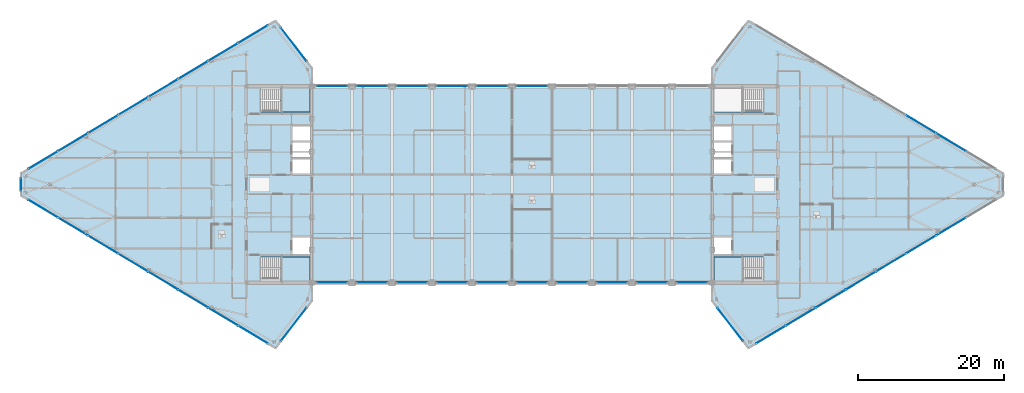
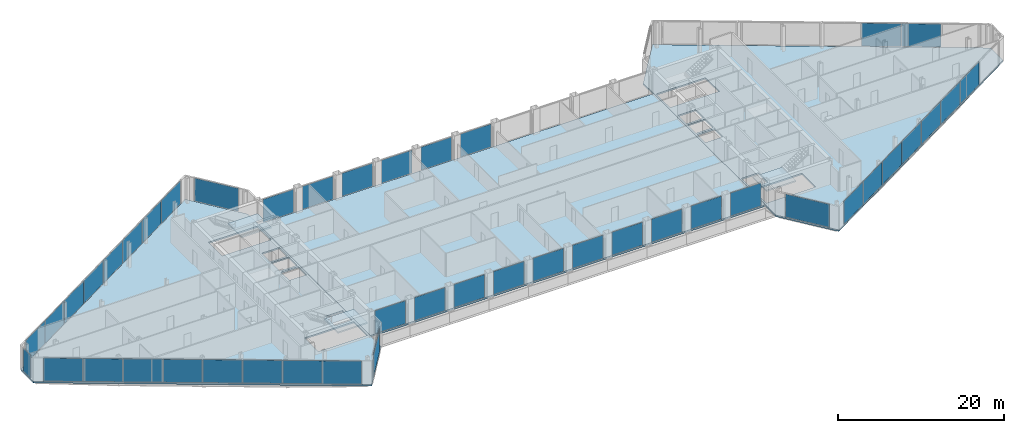
# One storey, part 19 of 29: 45 plates, 6 slabs, 27 elements without a shape of their own.
"""IFC4 building model written with IfcOpenShell, lengths in metres."""

from ifc_helpers import new_model, si_unit, direction, frame, origin, origin_2d, place, context, subcontext, project, spatial, polyline, rectangle, outline, extrude, source, transform, mapped, material, layer, layer_set, type_object, type_shapes, element, aggregate, save


model = new_model("IFC4")

# Units and contexts
model_context = context("Model", 3, precision=1e-05, world=origin(), true_north=direction((0.0, 1.0)))
body_context = subcontext(model_context, "Body", "Model", "MODEL_VIEW")
ifc_project = project(units=[si_unit("LENGTHUNIT", "METRE"), si_unit("AREAUNIT", "SQUARE_METRE"), si_unit("VOLUMEUNIT", "CUBIC_METRE"), si_unit("PLANEANGLEUNIT", "RADIAN"), si_unit("MASSUNIT", "GRAM", prefix="KILO")], contexts=[model_context])

# Site, building, storey
site_placement = place(None, origin())
site = spatial("IfcSite", under=ifc_project, at=site_placement, CompositionType="ELEMENT")
building_placement = place(site_placement, origin())
building = spatial("IfcBuilding", under=site, at=building_placement, Name="Seokmaru Belvedere", CompositionType="ELEMENT")
storey_placement = place(building_placement, frame((0.0, 0.0, 239.39990234375)))
storey = spatial("IfcBuildingStorey", under=building, at=storey_placement, Name="L63", CompositionType="ELEMENT", Elevation=239.39990234375)

# Stair, slab
ifc_material_1 = material(Name="Concrete C40 (40 MPa)", Category="concrete")
stair_type = type_object("IfcStairType", Name="Sky-Gate Residential Core Dog-Leg Stair 3750", PredefinedType="TWO_STRAIGHT_RUN_STAIR", material=ifc_material_1)
stair_1_placement = place(storey_placement, origin())
stair_1 = element("IfcStair", 1, at=stair_1_placement, inside=storey, type_object=stair_type, Name="L63 Special Escape Stair ST-W1", PredefinedType="TWO_STRAIGHT_RUN_STAIR")
ifc_layer_1 = layer(ifc_material_1, 0.199951171875)
ifc_layer_set_1 = layer_set([ifc_layer_1], Name="Concrete C40 (40 MPa)")
slab_type_1 = type_object("IfcSlabType", Name="Reinforced Concrete Stair Landing Slab 200", PredefinedType="LANDING", material=ifc_layer_set_1)
slab_1_placement = place(storey_placement, frame((0.0, 0.0, 1.675048828125)))
slab_1 = element("IfcSlab", 2, at=slab_1_placement, type_object=slab_type_1, Name="ST-W1 landing 1", PredefinedType="LANDING", context=body_context, shape_type="SweptSolid", body=[
    extrude(outline(polyline([(-31.8798828125, -13.239990234375), (-27.760009765625, -13.239990234375), (-27.760009765625, -9.949951171875), (-31.8798828125, -9.949951171875), (-31.8798828125, -13.239990234375)])), origin(), (0.0, 0.0, 1.0), 0.199951171875),
])
aggregate(stair_1, [slab_1])

stair_2_placement = place(storey_placement, origin())
stair_2 = element("IfcStair", 3, at=stair_2_placement, inside=storey, type_object=stair_type, Name="L63 Special Escape Stair ST-W2", PredefinedType="TWO_STRAIGHT_RUN_STAIR")
slab_2_placement = place(storey_placement, frame((0.0, 0.0, 1.675048828125)))
slab_2 = element("IfcSlab", 4, at=slab_2_placement, type_object=slab_type_1, Name="ST-W2 landing 1", PredefinedType="LANDING", context=body_context, shape_type="SweptSolid", body=[
    extrude(outline(polyline([(-31.8798828125, 9.949951171875), (-27.760009765625, 9.949951171875), (-27.760009765625, 13.239990234375), (-31.8798828125, 13.239990234375), (-31.8798828125, 9.949951171875)])), origin(), (0.0, 0.0, 1.0), 0.199951171875),
])
aggregate(stair_2, [slab_2])

stair_3_placement = place(storey_placement, origin())
stair_3 = element("IfcStair", 5, at=stair_3_placement, inside=storey, type_object=stair_type, Name="L63 Special Escape Stair ST-E1", PredefinedType="TWO_STRAIGHT_RUN_STAIR")
slab_3_placement = place(storey_placement, frame((0.0, 0.0, 1.675048828125)))
slab_3 = element("IfcSlab", 6, at=slab_3_placement, type_object=slab_type_1, Name="ST-E1 landing 1", PredefinedType="LANDING", context=body_context, shape_type="SweptSolid", body=[
    extrude(outline(polyline([(27.760009765625, -13.239990234375), (31.8798828125, -13.239990234375), (31.8798828125, -9.949951171875), (27.760009765625, -9.949951171875), (27.760009765625, -13.239990234375)])), origin(), (0.0, 0.0, 1.0), 0.199951171875),
])
aggregate(stair_3, [slab_3])

# Slabs
ifc_layer_2 = layer(ifc_material_1, 0.219970703125)
ifc_layer_set_2 = layer_set([ifc_layer_2], Name="Concrete C40 (40 MPa)")
slab_type_2 = type_object("IfcSlabType", Name="Typical Tower Composite Floor Slab 220", PredefinedType="FLOOR", material=ifc_layer_set_2)
slab_4_placement = place(storey_placement, frame((0.0, 0.0, -0.219970703125)))
element("IfcSlab", 7, at=slab_4_placement, inside=storey, type_object=slab_type_2, Name="L63 West Leg Floor Slab", PredefinedType="FLOOR", context=body_context, shape_type="SweptSolid", body=[
    extrude(outline(polyline([(-27.5, -16.0), (-27.5, 16.0), (-32.5, 22.5), (-67.5, 1.5), (-67.5, -1.5), (-32.5, -22.5), (-27.5, -16.0)]), holes=[polyline([(-34.60009765625, -13.25), (-27.75, -13.25), (-27.75, -9.949951171875), (-34.60009765625, -9.949951171875), (-34.60009765625, -13.25)]), polyline([(-34.60009765625, 9.949951171875), (-27.75, 9.949951171875), (-27.75, 13.25), (-34.60009765625, 13.25), (-34.60009765625, 9.949951171875)]), polyline([(-30.14990234375, -9.550048828125), (-27.75, -9.550048828125), (-27.75, -7.25), (-30.14990234375, -7.25), (-30.14990234375, -9.550048828125)]), polyline([(-30.14990234375, 1.449951171875), (-27.75, 1.449951171875), (-27.75, 3.449951171875), (-30.14990234375, 3.449951171875), (-30.14990234375, 1.449951171875)]), polyline([(-30.14990234375, 3.75), (-27.75, 3.75), (-27.75, 5.75), (-30.14990234375, 5.75), (-30.14990234375, 3.75)]), polyline([(-30.14990234375, 6.050048828125), (-27.75, 6.050048828125), (-27.75, 8.050048828125), (-30.14990234375, 8.050048828125), (-30.14990234375, 6.050048828125)])]), origin(), (0.0, 0.0, 1.0), 0.219970703125),
])
slab_5_placement = place(storey_placement, frame((0.0, 0.0, -0.219970703125)))
element("IfcSlab", 8, at=slab_5_placement, inside=storey, type_object=slab_type_2, Name="L63 East Leg Floor Slab", PredefinedType="FLOOR", context=body_context, shape_type="SweptSolid", body=[
    extrude(outline(polyline([(32.5, -22.5), (67.5, -1.5), (67.5, 1.5), (32.5, 22.5), (27.5, 16.0), (27.5, -16.0), (32.5, -22.5)]), holes=[polyline([(27.75, -13.25), (34.60009765625, -13.25), (34.60009765625, -9.949951171875), (27.75, -9.949951171875), (27.75, -13.25)]), polyline([(27.75, 9.949951171875), (34.60009765625, 9.949951171875), (34.60009765625, 13.25), (27.75, 13.25), (27.75, 9.949951171875)]), polyline([(27.75, -9.550048828125), (30.14990234375, -9.550048828125), (30.14990234375, -7.25), (27.75, -7.25), (27.75, -9.550048828125)]), polyline([(27.75, 1.449951171875), (30.14990234375, 1.449951171875), (30.14990234375, 3.449951171875), (27.75, 3.449951171875), (27.75, 1.449951171875)]), polyline([(27.75, 3.75), (30.14990234375, 3.75), (30.14990234375, 5.75), (27.75, 5.75), (27.75, 3.75)]), polyline([(27.75, 6.050048828125), (30.14990234375, 6.050048828125), (30.14990234375, 8.050048828125), (27.75, 8.050048828125), (27.75, 6.050048828125)])]), origin(), (0.0, 0.0, 1.0), 0.219970703125),
])
slab_6_placement = place(storey_placement, frame((0.0, 0.0, -0.219970703125)))
element("IfcSlab", 9, at=slab_6_placement, inside=storey, type_object=slab_type_2, Name="L63 Sky-Gate Bridge Floor Slab", PredefinedType="FLOOR", context=body_context, shape_type="SweptSolid", body=[
    extrude(outline(polyline([(-27.5, -13.5), (27.5, -13.5), (27.5, 13.5), (-27.5, 13.5), (-27.5, -13.5)])), origin(), (0.0, 0.0, 1.0), 0.219970703125),
])

# Curtain wall, plate
ifc_material_2 = material(Name="Bronze Triple Insulating Glass", Category="glass")
ifc_layer_3 = layer(ifc_material_2, 0.219970703125)
ifc_layer_set_3 = layer_set([ifc_layer_3], Name="Bronze Triple Insulating Glass")
curtain_wall_type = type_object("IfcCurtainWallType", Name="Sky-Gate Bridge Panorama Curtain Wall System CW-6", PredefinedType="NOTDEFINED", material=ifc_layer_set_3)
curtain_wall_1_placement = place(storey_placement, origin())
curtain_wall_1 = element("IfcCurtainWall", 10, at=curtain_wall_1_placement, inside=storey, type_object=curtain_wall_type, Name="L63 Curtain Wall WF2", PredefinedType="NOTDEFINED")
ifc_layer_4 = layer(ifc_material_2, 0.0419921875)
ifc_layer_set_4 = layer_set([ifc_layer_4], Name="Bronze Triple Insulating Glass")
plate_type = type_object("IfcPlateType", Name="Acoustic Laminated Panorama Glazing Panel 42", PredefinedType="CURTAIN_PANEL", material=ifc_layer_set_4)
shared_shape_1 = source(origin(), body_context, "Body", "SweptSolid", [
    extrude(rectangle(XDim=5.740478515625, YDim=0.0419921875, at=origin_2d()), origin(), (0.0, 0.0, 1.0), 3.3798828125),
])
plate_1_placement = place(storey_placement, frame((-30.0, 19.25, 0.0751953125), z_axis=(0.0, 0.0, 1.0), x_axis=(-0.609701187349, 0.792631353244, 0.0)))
plate_1 = element("IfcPlate", 11, at=plate_1_placement, type_object=plate_type, Name="CW:L63:WF2 Glazing Panel 1-1", PredefinedType="CURTAIN_PANEL", context=body_context, shape_type="MappedRepresentation", body=[
    mapped(shared_shape_1, transform((0.0, 0.0, 0.0), scale=1.0)),
])
aggregate(curtain_wall_1, [plate_1])

curtain_wall_2_placement = place(storey_placement, origin())
curtain_wall_2 = element("IfcCurtainWall", 12, at=curtain_wall_2_placement, inside=storey, type_object=curtain_wall_type, Name="L63 Curtain Wall WF6", PredefinedType="NOTDEFINED")
plate_2_placement = place(storey_placement, frame((-30.0, -19.25, 0.0751953125), z_axis=(0.0, 0.0, 1.0), x_axis=(0.609701187349, 0.792631353244, 0.0)))
plate_2 = element("IfcPlate", 13, at=plate_2_placement, type_object=plate_type, Name="CW:L63:WF6 Glazing Panel 1-1", PredefinedType="CURTAIN_PANEL", context=body_context, shape_type="MappedRepresentation", body=[
    mapped(shared_shape_1, transform((0.0, 0.0, 0.0), scale=1.0)),
])
aggregate(curtain_wall_2, [plate_2])

curtain_wall_3_placement = place(storey_placement, origin())
curtain_wall_3 = element("IfcCurtainWall", 14, at=curtain_wall_3_placement, inside=storey, type_object=curtain_wall_type, Name="L63 Curtain Wall EF6", PredefinedType="NOTDEFINED")
plate_3_placement = place(storey_placement, frame((30.0, -19.25, 0.0751953125), z_axis=(0.0, 0.0, 1.0), x_axis=(0.609701187349, -0.792631353244, 0.0)))
plate_3 = element("IfcPlate", 15, at=plate_3_placement, type_object=plate_type, Name="CW:L63:EF6 Glazing Panel 1-1", PredefinedType="CURTAIN_PANEL", context=body_context, shape_type="MappedRepresentation", body=[
    mapped(shared_shape_1, transform((0.0, 0.0, 0.0), scale=1.0)),
])
aggregate(curtain_wall_3, [plate_3])

# Curtain wall, plates
curtain_wall_4_placement = place(storey_placement, origin())
curtain_wall_4 = element("IfcCurtainWall", 16, at=curtain_wall_4_placement, inside=storey, type_object=curtain_wall_type, Name="L63 Curtain Wall WF3", PredefinedType="NOTDEFINED")
shared_shape_2 = source(origin(), body_context, "Body", "SweptSolid", [
    extrude(rectangle(XDim=4.694580078125, YDim=0.0419921875, at=origin_2d()), origin(), (0.0, 0.0, 1.0), 3.3798828125),
])
plate_4_placement = place(storey_placement, frame((-35.5673828125, 20.659423828125, 0.0751953125), z_axis=(0.0, 0.0, 1.0), x_axis=(-0.85749343335, -0.514494909364, 0.0)))
plate_4 = element("IfcPlate", 17, at=plate_4_placement, type_object=plate_type, Name="CW:L63:WF3 Glazing Panel 1-1", PredefinedType="CURTAIN_PANEL", context=body_context, shape_type="MappedRepresentation", body=[
    mapped(shared_shape_2, transform((0.0, 0.0, 0.0), scale=1.0)),
])
plate_5_placement = place(storey_placement, frame((-64.4326171875, 3.340576171875, 0.0751953125), z_axis=(0.0, 0.0, 1.0), x_axis=(-0.85749343335, -0.514494909364, 0.0)))
plate_5 = element("IfcPlate", 18, at=plate_5_placement, type_object=plate_type, Name="CW:L63:WF3 Glazing Panel 8-1", PredefinedType="CURTAIN_PANEL", context=body_context, shape_type="MappedRepresentation", body=[
    mapped(shared_shape_2, transform((0.0, 0.0, 0.0), scale=1.0)),
])

curtain_wall_5_placement = place(storey_placement, origin())
curtain_wall_5 = element("IfcCurtainWall", 19, at=curtain_wall_5_placement, inside=storey, type_object=curtain_wall_type, Name="L63 Curtain Wall WF5", PredefinedType="NOTDEFINED")
plate_6_placement = place(storey_placement, frame((-64.4326171875, -3.340576171875, 0.0751953125), z_axis=(0.0, 0.0, 1.0), x_axis=(0.85749343335, -0.514494909364, 0.0)))
plate_6 = element("IfcPlate", 20, at=plate_6_placement, type_object=plate_type, Name="CW:L63:WF5 Glazing Panel 1-1", PredefinedType="CURTAIN_PANEL", context=body_context, shape_type="MappedRepresentation", body=[
    mapped(shared_shape_2, transform((0.0, 0.0, 0.0), scale=1.0)),
])
plate_7_placement = place(storey_placement, frame((-35.5673828125, -20.659423828125, 0.0751953125), z_axis=(0.0, 0.0, 1.0), x_axis=(0.85749343335, -0.514494909364, 0.0)))
plate_7 = element("IfcPlate", 21, at=plate_7_placement, type_object=plate_type, Name="CW:L63:WF5 Glazing Panel 8-1", PredefinedType="CURTAIN_PANEL", context=body_context, shape_type="MappedRepresentation", body=[
    mapped(shared_shape_2, transform((0.0, 0.0, 0.0), scale=1.0)),
])

# Curtain wall, plate
curtain_wall_6_placement = place(storey_placement, origin())
curtain_wall_6 = element("IfcCurtainWall", 22, at=curtain_wall_6_placement, inside=storey, type_object=curtain_wall_type, Name="L63 Curtain Wall EF1", PredefinedType="NOTDEFINED")
plate_8_placement = place(storey_placement, frame((35.5673828125, -20.659423828125, 0.0751953125), z_axis=(0.0, 0.0, 1.0), x_axis=(0.85749343335, 0.514494909364, 0.0)))
plate_8 = element("IfcPlate", 23, at=plate_8_placement, type_object=plate_type, Name="CW:L63:EF1 Glazing Panel 1-1", PredefinedType="CURTAIN_PANEL", context=body_context, shape_type="MappedRepresentation", body=[
    mapped(shared_shape_2, transform((0.0, 0.0, 0.0), scale=1.0)),
])

# Plate
shared_shape_3 = source(origin(), body_context, "Body", "SweptSolid", [
    extrude(rectangle(XDim=4.734619140625, YDim=0.0419921875, at=origin_2d()), origin(), (0.0, 0.0, 1.0), 3.3798828125),
])
plate_9_placement = place(storey_placement, frame((-39.6787109375, 18.192626953125, 0.0751953125), z_axis=(0.0, 0.0, 1.0), x_axis=(-0.85749343335, -0.514494909364, 0.0)))
plate_9 = element("IfcPlate", 24, at=plate_9_placement, type_object=plate_type, Name="CW:L63:WF3 Glazing Panel 2-1", PredefinedType="CURTAIN_PANEL", context=body_context, shape_type="MappedRepresentation", body=[
    mapped(shared_shape_3, transform((0.0, 0.0, 0.0), scale=1.0)),
])

plate_10_placement = place(storey_placement, frame((-43.807373046875, 15.715576171875, 0.0751953125), z_axis=(0.0, 0.0, 1.0), x_axis=(-0.85749343335, -0.514494909364, 0.0)))
plate_10 = element("IfcPlate", 25, at=plate_10_placement, type_object=plate_type, Name="CW:L63:WF3 Glazing Panel 3-1", PredefinedType="CURTAIN_PANEL", context=body_context, shape_type="MappedRepresentation", body=[
    mapped(shared_shape_3, transform((0.0, 0.0, 0.0), scale=1.0)),
])

plate_11_placement = place(storey_placement, frame((-47.935791015625, 13.238525390625, 0.0751953125), z_axis=(0.0, 0.0, 1.0), x_axis=(-0.85749343335, -0.514494909364, 0.0)))
plate_11 = element("IfcPlate", 26, at=plate_11_placement, type_object=plate_type, Name="CW:L63:WF3 Glazing Panel 4-1", PredefinedType="CURTAIN_PANEL", context=body_context, shape_type="MappedRepresentation", body=[
    mapped(shared_shape_3, transform((0.0, 0.0, 0.0), scale=1.0)),
])

plate_12_placement = place(storey_placement, frame((-52.064208984375, 10.761474609375, 0.0751953125), z_axis=(0.0, 0.0, 1.0), x_axis=(-0.85749343335, -0.514494909364, 0.0)))
plate_12 = element("IfcPlate", 27, at=plate_12_placement, type_object=plate_type, Name="CW:L63:WF3 Glazing Panel 5-1", PredefinedType="CURTAIN_PANEL", context=body_context, shape_type="MappedRepresentation", body=[
    mapped(shared_shape_3, transform((0.0, 0.0, 0.0), scale=1.0)),
])

plate_13_placement = place(storey_placement, frame((-56.192626953125, 8.284423828125, 0.0751953125), z_axis=(0.0, 0.0, 1.0), x_axis=(-0.85749343335, -0.514494909364, 0.0)))
plate_13 = element("IfcPlate", 28, at=plate_13_placement, type_object=plate_type, Name="CW:L63:WF3 Glazing Panel 6-1", PredefinedType="CURTAIN_PANEL", context=body_context, shape_type="MappedRepresentation", body=[
    mapped(shared_shape_3, transform((0.0, 0.0, 0.0), scale=1.0)),
])

plate_14_placement = place(storey_placement, frame((-60.3212890625, 5.807373046875, 0.0751953125), z_axis=(0.0, 0.0, 1.0), x_axis=(-0.85749343335, -0.514494909364, 0.0)))
plate_14 = element("IfcPlate", 29, at=plate_14_placement, type_object=plate_type, Name="CW:L63:WF3 Glazing Panel 7-1", PredefinedType="CURTAIN_PANEL", context=body_context, shape_type="MappedRepresentation", body=[
    mapped(shared_shape_3, transform((0.0, 0.0, 0.0), scale=1.0)),
])

aggregate(curtain_wall_4, [plate_4, plate_9, plate_10, plate_11, plate_12, plate_13, plate_14, plate_5])

plate_15_placement = place(storey_placement, frame((-60.3212890625, -5.807373046875, 0.0751953125), z_axis=(0.0, 0.0, 1.0), x_axis=(0.85749343335, -0.514494909364, 0.0)))
plate_15 = element("IfcPlate", 30, at=plate_15_placement, type_object=plate_type, Name="CW:L63:WF5 Glazing Panel 2-1", PredefinedType="CURTAIN_PANEL", context=body_context, shape_type="MappedRepresentation", body=[
    mapped(shared_shape_3, transform((0.0, 0.0, 0.0), scale=1.0)),
])

plate_16_placement = place(storey_placement, frame((-56.192626953125, -8.284423828125, 0.0751953125), z_axis=(0.0, 0.0, 1.0), x_axis=(0.85749343335, -0.514494909364, 0.0)))
plate_16 = element("IfcPlate", 31, at=plate_16_placement, type_object=plate_type, Name="CW:L63:WF5 Glazing Panel 3-1", PredefinedType="CURTAIN_PANEL", context=body_context, shape_type="MappedRepresentation", body=[
    mapped(shared_shape_3, transform((0.0, 0.0, 0.0), scale=1.0)),
])

plate_17_placement = place(storey_placement, frame((-52.064208984375, -10.761474609375, 0.0751953125), z_axis=(0.0, 0.0, 1.0), x_axis=(0.85749343335, -0.514494909364, 0.0)))
plate_17 = element("IfcPlate", 32, at=plate_17_placement, type_object=plate_type, Name="CW:L63:WF5 Glazing Panel 4-1", PredefinedType="CURTAIN_PANEL", context=body_context, shape_type="MappedRepresentation", body=[
    mapped(shared_shape_3, transform((0.0, 0.0, 0.0), scale=1.0)),
])

plate_18_placement = place(storey_placement, frame((-47.935791015625, -13.238525390625, 0.0751953125), z_axis=(0.0, 0.0, 1.0), x_axis=(0.85749343335, -0.514494909364, 0.0)))
plate_18 = element("IfcPlate", 33, at=plate_18_placement, type_object=plate_type, Name="CW:L63:WF5 Glazing Panel 5-1", PredefinedType="CURTAIN_PANEL", context=body_context, shape_type="MappedRepresentation", body=[
    mapped(shared_shape_3, transform((0.0, 0.0, 0.0), scale=1.0)),
])

plate_19_placement = place(storey_placement, frame((-43.807373046875, -15.715576171875, 0.0751953125), z_axis=(0.0, 0.0, 1.0), x_axis=(0.85749343335, -0.514494909364, 0.0)))
plate_19 = element("IfcPlate", 34, at=plate_19_placement, type_object=plate_type, Name="CW:L63:WF5 Glazing Panel 6-1", PredefinedType="CURTAIN_PANEL", context=body_context, shape_type="MappedRepresentation", body=[
    mapped(shared_shape_3, transform((0.0, 0.0, 0.0), scale=1.0)),
])

plate_20_placement = place(storey_placement, frame((-39.6787109375, -18.192626953125, 0.0751953125), z_axis=(0.0, 0.0, 1.0), x_axis=(0.85749343335, -0.514494909364, 0.0)))
plate_20 = element("IfcPlate", 35, at=plate_20_placement, type_object=plate_type, Name="CW:L63:WF5 Glazing Panel 7-1", PredefinedType="CURTAIN_PANEL", context=body_context, shape_type="MappedRepresentation", body=[
    mapped(shared_shape_3, transform((0.0, 0.0, 0.0), scale=1.0)),
])

aggregate(curtain_wall_5, [plate_6, plate_15, plate_16, plate_17, plate_18, plate_19, plate_20, plate_7])

plate_21_placement = place(storey_placement, frame((39.6787109375, -18.192626953125, 0.0751953125), z_axis=(0.0, 0.0, 1.0), x_axis=(0.85749343335, 0.514494909364, 0.0)))
plate_21 = element("IfcPlate", 36, at=plate_21_placement, type_object=plate_type, Name="CW:L63:EF1 Glazing Panel 2-1", PredefinedType="CURTAIN_PANEL", context=body_context, shape_type="MappedRepresentation", body=[
    mapped(shared_shape_3, transform((0.0, 0.0, 0.0), scale=1.0)),
])

plate_22_placement = place(storey_placement, frame((43.807373046875, -15.715576171875, 0.0751953125), z_axis=(0.0, 0.0, 1.0), x_axis=(0.85749343335, 0.514494909364, 0.0)))
plate_22 = element("IfcPlate", 37, at=plate_22_placement, type_object=plate_type, Name="CW:L63:EF1 Glazing Panel 3-1", PredefinedType="CURTAIN_PANEL", context=body_context, shape_type="MappedRepresentation", body=[
    mapped(shared_shape_3, transform((0.0, 0.0, 0.0), scale=1.0)),
])

plate_23_placement = place(storey_placement, frame((47.935791015625, -13.238525390625, 0.0751953125), z_axis=(0.0, 0.0, 1.0), x_axis=(0.85749343335, 0.514494909364, 0.0)))
plate_23 = element("IfcPlate", 38, at=plate_23_placement, type_object=plate_type, Name="CW:L63:EF1 Glazing Panel 4-1", PredefinedType="CURTAIN_PANEL", context=body_context, shape_type="MappedRepresentation", body=[
    mapped(shared_shape_3, transform((0.0, 0.0, 0.0), scale=1.0)),
])

plate_24_placement = place(storey_placement, frame((52.064208984375, -10.761474609375, 0.0751953125), z_axis=(0.0, 0.0, 1.0), x_axis=(0.85749343335, 0.514494909364, 0.0)))
plate_24 = element("IfcPlate", 39, at=plate_24_placement, type_object=plate_type, Name="CW:L63:EF1 Glazing Panel 5-1", PredefinedType="CURTAIN_PANEL", context=body_context, shape_type="MappedRepresentation", body=[
    mapped(shared_shape_3, transform((0.0, 0.0, 0.0), scale=1.0)),
])

plate_25_placement = place(storey_placement, frame((56.192626953125, -8.284423828125, 0.0751953125), z_axis=(0.0, 0.0, 1.0), x_axis=(0.85749343335, 0.514494909364, 0.0)))
plate_25 = element("IfcPlate", 40, at=plate_25_placement, type_object=plate_type, Name="CW:L63:EF1 Glazing Panel 6-1", PredefinedType="CURTAIN_PANEL", context=body_context, shape_type="MappedRepresentation", body=[
    mapped(shared_shape_3, transform((0.0, 0.0, 0.0), scale=1.0)),
])

plate_26_placement = place(storey_placement, frame((60.3212890625, -5.807373046875, 0.0751953125), z_axis=(0.0, 0.0, 1.0), x_axis=(0.85749343335, 0.514494909364, 0.0)))
plate_26 = element("IfcPlate", 41, at=plate_26_placement, type_object=plate_type, Name="CW:L63:EF1 Glazing Panel 7-1", PredefinedType="CURTAIN_PANEL", context=body_context, shape_type="MappedRepresentation", body=[
    mapped(shared_shape_3, transform((0.0, 0.0, 0.0), scale=1.0)),
])

aggregate(curtain_wall_6, [plate_8, plate_21, plate_22, plate_23, plate_24, plate_25, plate_26])

# Curtain wall, plates
curtain_wall_7_placement = place(storey_placement, origin())
curtain_wall_7 = element("IfcCurtainWall", 42, at=curtain_wall_7_placement, inside=storey, type_object=curtain_wall_type, Name="L63 Curtain Wall EF3", PredefinedType="NOTDEFINED")
plate_27_placement = place(storey_placement, frame((60.3212890625, 5.807373046875, 0.0751953125), z_axis=(0.0, 0.0, 1.0), x_axis=(-0.85749343335, 0.514494909364, 0.0)))
plate_27 = element("IfcPlate", 43, at=plate_27_placement, type_object=plate_type, Name="CW:L63:EF3 Glazing Panel 2-1", PredefinedType="CURTAIN_PANEL", context=body_context, shape_type="MappedRepresentation", body=[
    mapped(shared_shape_3, transform((0.0, 0.0, 0.0), scale=1.0)),
])
plate_28_placement = place(storey_placement, frame((56.192626953125, 8.284423828125, 0.0751953125), z_axis=(0.0, 0.0, 1.0), x_axis=(-0.85749343335, 0.514494909364, 0.0)))
plate_28 = element("IfcPlate", 44, at=plate_28_placement, type_object=plate_type, Name="CW:L63:EF3 Glazing Panel 3-1", PredefinedType="CURTAIN_PANEL", context=body_context, shape_type="MappedRepresentation", body=[
    mapped(shared_shape_3, transform((0.0, 0.0, 0.0), scale=1.0)),
])
aggregate(curtain_wall_7, [plate_27, plate_28])

# Curtain wall, plate
curtain_wall_8_placement = place(storey_placement, origin())
curtain_wall_8 = element("IfcCurtainWall", 45, at=curtain_wall_8_placement, inside=storey, type_object=curtain_wall_type, Name="L63 Curtain Wall WF4", PredefinedType="NOTDEFINED")
shared_shape_4 = source(origin(), body_context, "Body", "SweptSolid", [
    extrude(rectangle(XDim=1.739990234375, YDim=0.0419921875, at=origin_2d()), origin(), (0.0, 0.0, 1.0), 3.3798828125),
])
plate_29_placement = place(storey_placement, frame((-67.5, 0.0, 0.0751953125), z_axis=(0.0, 0.0, 1.0), x_axis=(0.0, -1.0, 0.0)))
plate_29 = element("IfcPlate", 46, at=plate_29_placement, type_object=plate_type, Name="CW:L63:WF4 Glazing Panel 1-1", PredefinedType="CURTAIN_PANEL", context=body_context, shape_type="MappedRepresentation", body=[
    mapped(shared_shape_4, transform((0.0, 0.0, 0.0), scale=1.0)),
])
aggregate(curtain_wall_8, [plate_29])

curtain_wall_9_placement = place(storey_placement, origin())
curtain_wall_9 = element("IfcCurtainWall", 47, at=curtain_wall_9_placement, inside=storey, type_object=curtain_wall_type, Name="L63 Curtain Wall BR_S01", PredefinedType="NOTDEFINED")
shared_shape_5 = source(origin(), body_context, "Body", "SweptSolid", [
    extrude(rectangle(XDim=4.239990234375, YDim=0.0419921875, at=origin_2d()), origin(), (0.0, 0.0, 1.0), 3.3798828125),
])
type_shapes(plate_type, [shared_shape_1, shared_shape_2, shared_shape_3, shared_shape_4, shared_shape_5])
plate_30_placement = place(storey_placement, frame((-24.75, -13.5, 0.0751953125), z_axis=(0.0, 0.0, 1.0), x_axis=(1.0, 0.0, 0.0)))
plate_30 = element("IfcPlate", 48, at=plate_30_placement, type_object=plate_type, Name="CW:L63:BR_S01 Glazing Panel 1-1", PredefinedType="CURTAIN_PANEL", context=body_context, shape_type="MappedRepresentation", body=[
    mapped(shared_shape_5, transform((0.0, 0.0, 0.0), scale=1.0)),
])
aggregate(curtain_wall_9, [plate_30])

curtain_wall_10_placement = place(storey_placement, origin())
curtain_wall_10 = element("IfcCurtainWall", 49, at=curtain_wall_10_placement, inside=storey, type_object=curtain_wall_type, Name="L63 Curtain Wall BR_N01", PredefinedType="NOTDEFINED")
plate_31_placement = place(storey_placement, frame((-24.75, 13.5, 0.0751953125), z_axis=(0.0, 0.0, 1.0), x_axis=(-1.0, 0.0, 0.0)))
plate_31 = element("IfcPlate", 50, at=plate_31_placement, type_object=plate_type, Name="CW:L63:BR_N01 Glazing Panel 1-1", PredefinedType="CURTAIN_PANEL", context=body_context, shape_type="MappedRepresentation", body=[
    mapped(shared_shape_5, transform((0.0, 0.0, 0.0), scale=1.0)),
])
aggregate(curtain_wall_10, [plate_31])

curtain_wall_11_placement = place(storey_placement, origin())
curtain_wall_11 = element("IfcCurtainWall", 51, at=curtain_wall_11_placement, inside=storey, type_object=curtain_wall_type, Name="L63 Curtain Wall BR_S02", PredefinedType="NOTDEFINED")
plate_32_placement = place(storey_placement, frame((-19.25, -13.5, 0.0751953125), z_axis=(0.0, 0.0, 1.0), x_axis=(1.0, 0.0, 0.0)))
plate_32 = element("IfcPlate", 52, at=plate_32_placement, type_object=plate_type, Name="CW:L63:BR_S02 Glazing Panel 1-1", PredefinedType="CURTAIN_PANEL", context=body_context, shape_type="MappedRepresentation", body=[
    mapped(shared_shape_5, transform((0.0, 0.0, 0.0), scale=1.0)),
])
aggregate(curtain_wall_11, [plate_32])

curtain_wall_12_placement = place(storey_placement, origin())
curtain_wall_12 = element("IfcCurtainWall", 53, at=curtain_wall_12_placement, inside=storey, type_object=curtain_wall_type, Name="L63 Curtain Wall BR_N02", PredefinedType="NOTDEFINED")
plate_33_placement = place(storey_placement, frame((-19.25, 13.5, 0.0751953125), z_axis=(0.0, 0.0, 1.0), x_axis=(-1.0, 0.0, 0.0)))
plate_33 = element("IfcPlate", 54, at=plate_33_placement, type_object=plate_type, Name="CW:L63:BR_N02 Glazing Panel 1-1", PredefinedType="CURTAIN_PANEL", context=body_context, shape_type="MappedRepresentation", body=[
    mapped(shared_shape_5, transform((0.0, 0.0, 0.0), scale=1.0)),
])
aggregate(curtain_wall_12, [plate_33])

curtain_wall_13_placement = place(storey_placement, origin())
curtain_wall_13 = element("IfcCurtainWall", 55, at=curtain_wall_13_placement, inside=storey, type_object=curtain_wall_type, Name="L63 Curtain Wall BR_S03", PredefinedType="NOTDEFINED")
plate_34_placement = place(storey_placement, frame((-13.75, -13.5, 0.0751953125), z_axis=(0.0, 0.0, 1.0), x_axis=(1.0, 0.0, 0.0)))
plate_34 = element("IfcPlate", 56, at=plate_34_placement, type_object=plate_type, Name="CW:L63:BR_S03 Glazing Panel 1-1", PredefinedType="CURTAIN_PANEL", context=body_context, shape_type="MappedRepresentation", body=[
    mapped(shared_shape_5, transform((0.0, 0.0, 0.0), scale=1.0)),
])
aggregate(curtain_wall_13, [plate_34])

curtain_wall_14_placement = place(storey_placement, origin())
curtain_wall_14 = element("IfcCurtainWall", 57, at=curtain_wall_14_placement, inside=storey, type_object=curtain_wall_type, Name="L63 Curtain Wall BR_N03", PredefinedType="NOTDEFINED")
plate_35_placement = place(storey_placement, frame((-13.75, 13.5, 0.0751953125), z_axis=(0.0, 0.0, 1.0), x_axis=(-1.0, 0.0, 0.0)))
plate_35 = element("IfcPlate", 58, at=plate_35_placement, type_object=plate_type, Name="CW:L63:BR_N03 Glazing Panel 1-1", PredefinedType="CURTAIN_PANEL", context=body_context, shape_type="MappedRepresentation", body=[
    mapped(shared_shape_5, transform((0.0, 0.0, 0.0), scale=1.0)),
])
aggregate(curtain_wall_14, [plate_35])

curtain_wall_15_placement = place(storey_placement, origin())
curtain_wall_15 = element("IfcCurtainWall", 59, at=curtain_wall_15_placement, inside=storey, type_object=curtain_wall_type, Name="L63 Curtain Wall BR_S04", PredefinedType="NOTDEFINED")
plate_36_placement = place(storey_placement, frame((-8.25, -13.5, 0.0751953125), z_axis=(0.0, 0.0, 1.0), x_axis=(1.0, 0.0, 0.0)))
plate_36 = element("IfcPlate", 60, at=plate_36_placement, type_object=plate_type, Name="CW:L63:BR_S04 Glazing Panel 1-1", PredefinedType="CURTAIN_PANEL", context=body_context, shape_type="MappedRepresentation", body=[
    mapped(shared_shape_5, transform((0.0, 0.0, 0.0), scale=1.0)),
])
aggregate(curtain_wall_15, [plate_36])

curtain_wall_16_placement = place(storey_placement, origin())
curtain_wall_16 = element("IfcCurtainWall", 61, at=curtain_wall_16_placement, inside=storey, type_object=curtain_wall_type, Name="L63 Curtain Wall BR_N04", PredefinedType="NOTDEFINED")
plate_37_placement = place(storey_placement, frame((-8.25, 13.5, 0.0751953125), z_axis=(0.0, 0.0, 1.0), x_axis=(-1.0, 0.0, 0.0)))
plate_37 = element("IfcPlate", 62, at=plate_37_placement, type_object=plate_type, Name="CW:L63:BR_N04 Glazing Panel 1-1", PredefinedType="CURTAIN_PANEL", context=body_context, shape_type="MappedRepresentation", body=[
    mapped(shared_shape_5, transform((0.0, 0.0, 0.0), scale=1.0)),
])
aggregate(curtain_wall_16, [plate_37])

curtain_wall_17_placement = place(storey_placement, origin())
curtain_wall_17 = element("IfcCurtainWall", 63, at=curtain_wall_17_placement, inside=storey, type_object=curtain_wall_type, Name="L63 Curtain Wall BR_S05", PredefinedType="NOTDEFINED")
plate_38_placement = place(storey_placement, frame((-2.75, -13.5, 0.0751953125), z_axis=(0.0, 0.0, 1.0), x_axis=(1.0, 0.0, 0.0)))
plate_38 = element("IfcPlate", 64, at=plate_38_placement, type_object=plate_type, Name="CW:L63:BR_S05 Glazing Panel 1-1", PredefinedType="CURTAIN_PANEL", context=body_context, shape_type="MappedRepresentation", body=[
    mapped(shared_shape_5, transform((0.0, 0.0, 0.0), scale=1.0)),
])
aggregate(curtain_wall_17, [plate_38])

curtain_wall_18_placement = place(storey_placement, origin())
curtain_wall_18 = element("IfcCurtainWall", 65, at=curtain_wall_18_placement, inside=storey, type_object=curtain_wall_type, Name="L63 Curtain Wall BR_N05", PredefinedType="NOTDEFINED")
plate_39_placement = place(storey_placement, frame((-2.75, 13.5, 0.0751953125), z_axis=(0.0, 0.0, 1.0), x_axis=(-1.0, 0.0, 0.0)))
plate_39 = element("IfcPlate", 66, at=plate_39_placement, type_object=plate_type, Name="CW:L63:BR_N05 Glazing Panel 1-1", PredefinedType="CURTAIN_PANEL", context=body_context, shape_type="MappedRepresentation", body=[
    mapped(shared_shape_5, transform((0.0, 0.0, 0.0), scale=1.0)),
])
aggregate(curtain_wall_18, [plate_39])

curtain_wall_19_placement = place(storey_placement, origin())
curtain_wall_19 = element("IfcCurtainWall", 67, at=curtain_wall_19_placement, inside=storey, type_object=curtain_wall_type, Name="L63 Curtain Wall BR_S06", PredefinedType="NOTDEFINED")
plate_40_placement = place(storey_placement, frame((2.75, -13.5, 0.0751953125), z_axis=(0.0, 0.0, 1.0), x_axis=(1.0, 0.0, 0.0)))
plate_40 = element("IfcPlate", 68, at=plate_40_placement, type_object=plate_type, Name="CW:L63:BR_S06 Glazing Panel 1-1", PredefinedType="CURTAIN_PANEL", context=body_context, shape_type="MappedRepresentation", body=[
    mapped(shared_shape_5, transform((0.0, 0.0, 0.0), scale=1.0)),
])
aggregate(curtain_wall_19, [plate_40])

curtain_wall_20_placement = place(storey_placement, origin())
curtain_wall_20 = element("IfcCurtainWall", 69, at=curtain_wall_20_placement, inside=storey, type_object=curtain_wall_type, Name="L63 Curtain Wall BR_N06", PredefinedType="NOTDEFINED")
plate_41_placement = place(storey_placement, frame((2.75, 13.5, 0.0751953125), z_axis=(0.0, 0.0, 1.0), x_axis=(-1.0, 0.0, 0.0)))
plate_41 = element("IfcPlate", 70, at=plate_41_placement, type_object=plate_type, Name="CW:L63:BR_N06 Glazing Panel 1-1", PredefinedType="CURTAIN_PANEL", context=body_context, shape_type="MappedRepresentation", body=[
    mapped(shared_shape_5, transform((0.0, 0.0, 0.0), scale=1.0)),
])
aggregate(curtain_wall_20, [plate_41])

curtain_wall_21_placement = place(storey_placement, origin())
curtain_wall_21 = element("IfcCurtainWall", 71, at=curtain_wall_21_placement, inside=storey, type_object=curtain_wall_type, Name="L63 Curtain Wall BR_S07", PredefinedType="NOTDEFINED")
plate_42_placement = place(storey_placement, frame((8.25, -13.5, 0.0751953125), z_axis=(0.0, 0.0, 1.0), x_axis=(1.0, 0.0, 0.0)))
plate_42 = element("IfcPlate", 72, at=plate_42_placement, type_object=plate_type, Name="CW:L63:BR_S07 Glazing Panel 1-1", PredefinedType="CURTAIN_PANEL", context=body_context, shape_type="MappedRepresentation", body=[
    mapped(shared_shape_5, transform((0.0, 0.0, 0.0), scale=1.0)),
])
aggregate(curtain_wall_21, [plate_42])

curtain_wall_22_placement = place(storey_placement, origin())
curtain_wall_22 = element("IfcCurtainWall", 73, at=curtain_wall_22_placement, inside=storey, type_object=curtain_wall_type, Name="L63 Curtain Wall BR_S08", PredefinedType="NOTDEFINED")
plate_43_placement = place(storey_placement, frame((13.75, -13.5, 0.0751953125), z_axis=(0.0, 0.0, 1.0), x_axis=(1.0, 0.0, 0.0)))
plate_43 = element("IfcPlate", 74, at=plate_43_placement, type_object=plate_type, Name="CW:L63:BR_S08 Glazing Panel 1-1", PredefinedType="CURTAIN_PANEL", context=body_context, shape_type="MappedRepresentation", body=[
    mapped(shared_shape_5, transform((0.0, 0.0, 0.0), scale=1.0)),
])
aggregate(curtain_wall_22, [plate_43])

curtain_wall_23_placement = place(storey_placement, origin())
curtain_wall_23 = element("IfcCurtainWall", 75, at=curtain_wall_23_placement, inside=storey, type_object=curtain_wall_type, Name="L63 Curtain Wall BR_S09", PredefinedType="NOTDEFINED")
plate_44_placement = place(storey_placement, frame((19.25, -13.5, 0.0751953125), z_axis=(0.0, 0.0, 1.0), x_axis=(1.0, 0.0, 0.0)))
plate_44 = element("IfcPlate", 76, at=plate_44_placement, type_object=plate_type, Name="CW:L63:BR_S09 Glazing Panel 1-1", PredefinedType="CURTAIN_PANEL", context=body_context, shape_type="MappedRepresentation", body=[
    mapped(shared_shape_5, transform((0.0, 0.0, 0.0), scale=1.0)),
])
aggregate(curtain_wall_23, [plate_44])

curtain_wall_24_placement = place(storey_placement, origin())
curtain_wall_24 = element("IfcCurtainWall", 77, at=curtain_wall_24_placement, inside=storey, type_object=curtain_wall_type, Name="L63 Curtain Wall BR_S10", PredefinedType="NOTDEFINED")
plate_45_placement = place(storey_placement, frame((24.75, -13.5, 0.0751953125), z_axis=(0.0, 0.0, 1.0), x_axis=(1.0, 0.0, 0.0)))
plate_45 = element("IfcPlate", 78, at=plate_45_placement, type_object=plate_type, Name="CW:L63:BR_S10 Glazing Panel 1-1", PredefinedType="CURTAIN_PANEL", context=body_context, shape_type="MappedRepresentation", body=[
    mapped(shared_shape_5, transform((0.0, 0.0, 0.0), scale=1.0)),
])
aggregate(curtain_wall_24, [plate_45])

save(model, "model.ifc")
